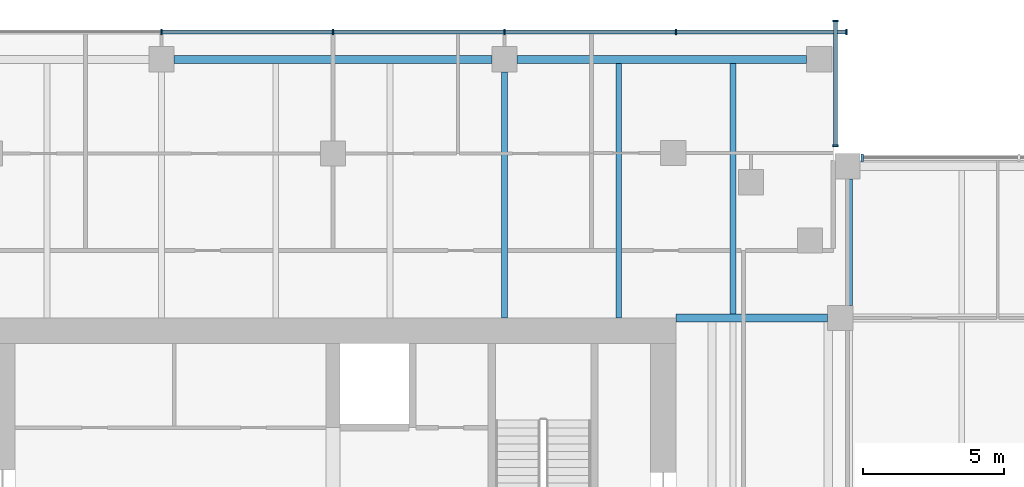
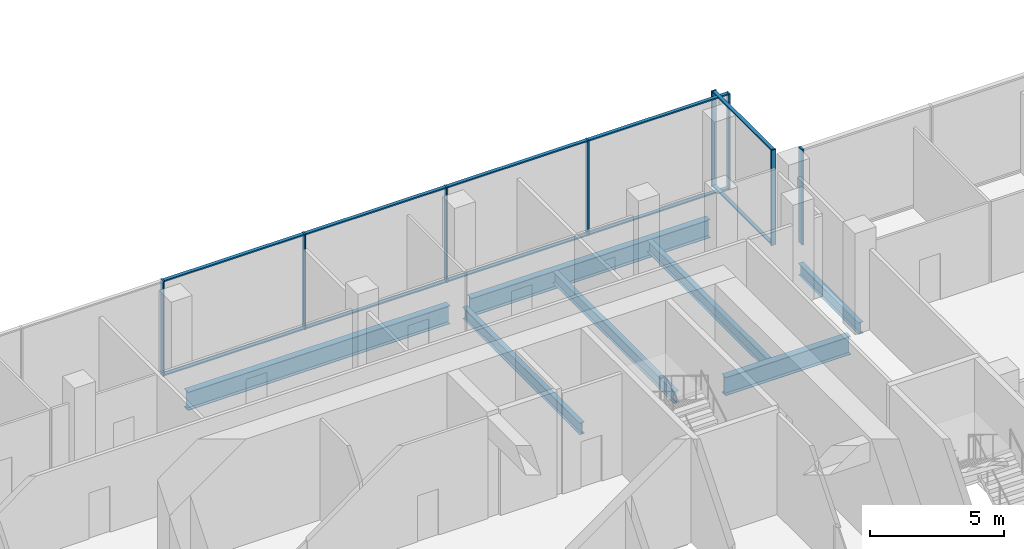
# One storey, part 6 of 33: 18 members, 7 beams, 3 elements without a shape of their own.
"""IFC4 building model written with IfcOpenShell, lengths in metres."""

import ifcopenshell
import ifcopenshell.guid

model = None  # the IFC model being written
_history = None  # IfcOwnerHistory: only IFC2X3 demands one
_inside = {}  # id of a spatial element -> (the spatial element, [elements in it])
_under = {}  # id of a project, library or spatial element -> (it, [spatial elements below it])
_declared = {}  # id of a project -> (the project, [libraries it declares])
_typed = {}  # id of a type object -> (the type object, [elements of that type])
_made_of = {}  # id of a material, layer set ... -> (it, [elements and type objects made of it])


def new_model(schema):
    """Start an empty IFC model of exactly this schema.

    Asked for "IFC4X3", IfcOpenShell would pick the latest addendum, in which some entities
    have other attributes; the version numbers below select the first issue.
    IFC2X3 requires an IfcOwnerHistory on every rooted entity: one is made here for all.
    """
    global model, _history
    if schema == "IFC4X3":
        model = ifcopenshell.file(schema_version=(4, 3, 0, 0))
    else:
        model = ifcopenshell.file(schema=schema)
    _inside.clear()
    _under.clear()
    _declared.clear()
    _typed.clear()
    _made_of.clear()
    _history = None
    if model.schema == "IFC2X3":
        org = make("IfcOrganization", Name="unknown")
        user = make(
            "IfcPersonAndOrganization",
            ThePerson=make("IfcPerson", FamilyName="unknown"),
            TheOrganization=org,
        )
        app = make(
            "IfcApplication",
            ApplicationDeveloper=org,
            Version="unknown",
            ApplicationFullName="unknown",
            ApplicationIdentifier="unknown",
        )
        _history = make(
            "IfcOwnerHistory",
            OwningUser=user,
            OwningApplication=app,
            ChangeAction="ADDED",
            CreationDate=0,
        )
    return model


def make(cls, **values):
    """One entity of the class cls with the attributes given. An attribute that is None is left unset."""
    return model.create_entity(
        cls, **{name: value for name, value in values.items() if value is not None}
    )


def rooted(cls, **values):
    """An entity with a GlobalId (a new one), such as an element, a storey or a relation."""
    return make(cls, GlobalId=ifcopenshell.guid.new(), OwnerHistory=_history, **values)


def si_unit(unit_type, name, prefix=None):
    """IfcSIUnit, for example si_unit("LENGTHUNIT", "METRE", prefix="MILLI")."""
    return make("IfcSIUnit", UnitType=unit_type, Prefix=prefix, Name=name)


def assignment(units):
    """IfcUnitAssignment: the units of a project."""
    return None if units is None else make("IfcUnitAssignment", Units=units)


def point(xyz):
    """IfcCartesianPoint."""
    return None if xyz is None else make("IfcCartesianPoint", Coordinates=xyz)


def direction(xyz):
    """IfcDirection."""
    return None if xyz is None else make("IfcDirection", DirectionRatios=xyz)


def frame(location, z_axis=None, x_axis=None):
    """IfcAxis2Placement3D, a coordinate frame: its origin and axes. An axis left out is left unset."""
    return make(
        "IfcAxis2Placement3D",
        Location=point(location),
        Axis=direction(z_axis),
        RefDirection=direction(x_axis),
    )


def frame_2d(location, x_axis=None):
    """IfcAxis2Placement2D, a coordinate frame in the plane: its origin and x axis."""
    return make(
        "IfcAxis2Placement2D", Location=point(location), RefDirection=direction(x_axis)
    )


def origin():
    """The frame at (0, 0, 0) with its axes left unset."""
    return frame((0.0, 0.0, 0.0))


def origin_2d():
    """The frame at (0, 0) in the plane with its x axis left unset."""
    return frame_2d((0.0, 0.0))


def place(relative_to, where):
    """IfcLocalPlacement: puts the frame where relative to a parent placement (None: the world)."""
    return make(
        "IfcLocalPlacement", PlacementRelTo=relative_to, RelativePlacement=where
    )


def context(
    kind, dimensions, precision=None, world=None, true_north=None, identifier=None
):
    """IfcGeometricRepresentationContext, for example the 3D "Model" context."""
    return make(
        "IfcGeometricRepresentationContext",
        ContextIdentifier=identifier,
        ContextType=kind,
        CoordinateSpaceDimension=dimensions,
        Precision=precision,
        WorldCoordinateSystem=world,
        TrueNorth=true_north,
    )


def subcontext(parent, identifier, kind, view, scale=None):
    """IfcGeometricRepresentationSubContext, for example "Body" below "Model"."""
    return make(
        "IfcGeometricRepresentationSubContext",
        ContextIdentifier=identifier,
        ContextType=kind,
        ParentContext=parent,
        TargetScale=scale,
        TargetView=view,
    )


def project(units=None, contexts=None):
    """IfcProject with its units and contexts."""
    return rooted(
        "IfcProject",
        Name="project",
        RepresentationContexts=contexts,
        UnitsInContext=assignment(units),
    )


def spatial(cls, under=None, at=None, **own):
    """A site, building, storey or space (cls), placed at a placement, below another one or the project."""
    s = rooted(cls, ObjectPlacement=at, **own)
    if under is not None:
        _under.setdefault(under.id(), (under, []))[1].append(s)
    return s


def profile(cls, at=None, kind="AREA", **sizes):
    """A parametric profile (cls). Its sizes go by their IFC names, for example OverallWidth=200.0."""
    return make(cls, ProfileType=kind, Position=at, **sizes)


def rectangle(**sizes):
    """IfcRectangleProfileDef."""
    return profile("IfcRectangleProfileDef", **sizes)


def i_section(**sizes):
    """IfcIShapeProfileDef."""
    return profile("IfcIShapeProfileDef", **sizes)


def extrude(swept, where, along, depth):
    """IfcExtrudedAreaSolid: the profile swept, set in the frame where, extruded along a direction by depth."""
    return make(
        "IfcExtrudedAreaSolid",
        SweptArea=swept,
        Position=where,
        ExtrudedDirection=direction(along),
        Depth=depth,
    )


def shape(context_of_items, identifier, shape_type, items):
    """IfcShapeRepresentation: the items that make up one representation, for example the "Body"."""
    return make(
        "IfcShapeRepresentation",
        ContextOfItems=context_of_items,
        RepresentationIdentifier=identifier,
        RepresentationType=shape_type,
        Items=items,
    )


def material(Name=None, Category=None):
    """IfcMaterial."""
    return make("IfcMaterial", Name=Name, Category=Category)


def material_profile(
    of_material, cross_section, Name=None, Category=None, Priority=None
):
    """IfcMaterialProfile: a cross section and its material."""
    return make(
        "IfcMaterialProfile",
        Name=Name,
        Material=of_material,
        Profile=cross_section,
        Priority=Priority,
        Category=Category,
    )


def profile_set(profiles, Name=None, composite=None):
    """IfcMaterialProfileSet."""
    return make(
        "IfcMaterialProfileSet",
        Name=Name,
        MaterialProfiles=profiles,
        CompositeProfile=composite,
    )


def made_of(thing, what):
    """Note that an element or type object is made of a material, layer set ...; save() writes the relation."""
    if what is not None:
        _made_of.setdefault(what.id(), (what, []))[1].append(thing)
    return thing


def type_object(cls, material=None, **own):
    """A type object (cls), such as IfcWallType, which elements share."""
    return made_of(rooted(cls, **own), material)


def element(
    cls,
    number,
    at=None,
    inside=None,
    cuts=None,
    type_object=None,
    material=None,
    context=None,
    identifier="Body",
    shape_type=None,
    held_by="IfcProductDefinitionShape",
    body=None,
    shapes=None,
    **own,
):
    """One element of the class cls, such as IfcWall. Its Tag is "e" and its number.

    at: its placement. inside: the storey or other place that contains it. cuts: it is an
    opening in that element (IfcRelVoidsElement). A single representation is given by context,
    identifier, shape_type and body (its items); several are given by shapes. held_by: the class
    of the entity that holds the representations. save() writes the other relations.
    """
    e = rooted(cls, Tag="e%d" % number, ObjectPlacement=at, **own)
    if body is not None:
        shapes = [shape(context, identifier, shape_type, body)]
    if shapes is not None:
        e.Representation = make(held_by, Representations=shapes)
    if inside is not None:
        _inside.setdefault(inside.id(), (inside, []))[1].append(e)
    if cuts is not None:
        rooted(
            "IfcRelVoidsElement", RelatingBuildingElement=cuts, RelatedOpeningElement=e
        )
    if type_object is not None:
        _typed.setdefault(type_object.id(), (type_object, []))[1].append(e)
    return made_of(e, material)


def aggregate(whole, parts):
    """IfcRelAggregates: a whole, such as a stair, and the parts it consists of."""
    return rooted("IfcRelAggregates", RelatingObject=whole, RelatedObjects=parts)


def save(model, path):
    """Write the relations noted so far, then the file.

    IfcRelAggregates (storeys below a building ...), IfcRelContainedInSpatialStructure (elements
    in a storey), IfcRelDefinesByType, IfcRelAssociatesMaterial and IfcRelDeclares: one each for
    every whole, place, type object, material and project.
    """
    for whole, parts in _under.values():
        aggregate(whole, parts)
    for where, things in _inside.values():
        rooted(
            "IfcRelContainedInSpatialStructure",
            RelatedElements=things,
            RelatingStructure=where,
        )
    for kind, things in _typed.values():
        rooted("IfcRelDefinesByType", RelatedObjects=things, RelatingType=kind)
    for what, things in _made_of.values():
        rooted("IfcRelAssociatesMaterial", RelatedObjects=things, RelatingMaterial=what)
    for by, libraries in _declared.values():
        rooted("IfcRelDeclares", RelatingContext=by, RelatedDefinitions=libraries)
    model.write(path)


model = new_model("IFC4")

# Units and contexts
model_context = context("Model", 3, precision=1e-05, world=origin(), true_north=direction((0.0, 1.0)))
body_context = subcontext(model_context, "Body", "Model", "MODEL_VIEW")
ifc_project = project(units=[si_unit("LENGTHUNIT", "METRE"), si_unit("AREAUNIT", "SQUARE_METRE"), si_unit("VOLUMEUNIT", "CUBIC_METRE"), si_unit("PLANEANGLEUNIT", "RADIAN"), si_unit("MASSUNIT", "GRAM", prefix="KILO")], contexts=[model_context])

# Site, building, storey
site_placement = place(None, origin())
site = spatial("IfcSite", under=ifc_project, at=site_placement, CompositionType="ELEMENT")
building_placement = place(site_placement, origin())
building = spatial("IfcBuilding", under=site, at=building_placement, Name="Tessera Gate Towers", CompositionType="ELEMENT")
storey_placement = place(building_placement, frame((0.0, 0.0, 12.0)))
storey = spatial("IfcBuildingStorey", under=building, at=storey_placement, Name="L02", CompositionType="ELEMENT", Elevation=12.0)

# Beams
ifc_material_1 = material(Name="Steel 350W", Category="steel")
ifc_material_profile_1 = material_profile(ifc_material_1, i_section(OverallWidth=0.2919921875, OverallDepth=0.8349609375, WebThickness=0.013916015625, FlangeThickness=0.018798828125, at=origin_2d()), Name="W840x176")
ifc_profile_set_1 = profile_set([ifc_material_profile_1], Name="Steel 350W")
beam_type_1 = type_object("IfcBeamType", Name="FLOOR GIRDER W840x176", PredefinedType="BEAM", material=ifc_profile_set_1)
beam_1_placement = place(storey_placement, frame((54.90087890625, 48.800048828125, -0.66748046875), z_axis=(1.0, 0.0, 0.0), x_axis=(0.0, 1.0, 0.0)))
element("IfcBeam", 1, at=beam_1_placement, inside=storey, type_object=beam_type_1, Name="PD-GD-L02-401", PredefinedType="BEAM", context=body_context, shape_type="SweptSolid", body=[
    extrude(i_section(OverallWidth=0.2919921875, OverallDepth=0.8349609375, WebThickness=0.013916015625, FlangeThickness=0.018798828125, at=origin_2d()), origin(), (0.0, 0.0, 1.0), 5.399169921875),
])
beam_2_placement = place(storey_placement, frame((37.050048828125, 58.0, -0.66748046875), z_axis=(1.0, 0.0, 0.0), x_axis=(0.0, 1.0, 0.0)))
element("IfcBeam", 2, at=beam_2_placement, inside=storey, type_object=beam_type_1, Name="PD-GD-L02-409", PredefinedType="BEAM", context=body_context, shape_type="SweptSolid", body=[
    extrude(i_section(OverallWidth=0.2919921875, OverallDepth=0.8349609375, WebThickness=0.013916015625, FlangeThickness=0.018798828125, at=origin_2d()), origin(), (0.0, 0.0, 1.0), 11.300048828125),
])
beam_3_placement = place(storey_placement, frame((49.25, 58.0, -0.66748046875), z_axis=(1.0, 0.0, 0.0), x_axis=(0.0, 1.0, 0.0)))
element("IfcBeam", 3, at=beam_3_placement, inside=storey, type_object=beam_type_1, Name="PD-GD-L02-410", PredefinedType="BEAM", context=body_context, shape_type="SweptSolid", body=[
    extrude(i_section(OverallWidth=0.2919921875, OverallDepth=0.8349609375, WebThickness=0.013916015625, FlangeThickness=0.018798828125, at=origin_2d()), origin(), (0.0, 0.0, 1.0), 10.300048828125),
])
ifc_material_2 = material(Name="Steel 350W", Category="steel")
ifc_material_profile_2 = material_profile(ifc_material_2, i_section(OverallWidth=0.208984375, OverallDepth=0.528076171875, WebThickness=0.009521484375, FlangeThickness=0.01318359375, at=origin_2d()), Name="W530x82")
ifc_profile_set_2 = profile_set([ifc_material_profile_2], Name="Steel 350W")
beam_type_2 = type_object("IfcBeamType", Name="FLOOR SECONDARY W530x82", PredefinedType="BEAM", material=ifc_profile_set_2)
beam_4_placement = place(storey_placement, frame((48.800048828125, 48.800048828125, -0.513916015625), z_axis=(0.0, 1.0, 0.0), x_axis=(-1.0, 0.0, 0.0)))
element("IfcBeam", 4, at=beam_4_placement, inside=storey, type_object=beam_type_2, Name="PD-BM-L02-484", PredefinedType="BEAM", context=body_context, shape_type="SweptSolid", body=[
    extrude(i_section(OverallWidth=0.208984375, OverallDepth=0.528076171875, WebThickness=0.009521484375, FlangeThickness=0.01318359375, at=origin_2d()), origin(), (0.0, 0.0, 1.0), 8.75),
])
beam_5_placement = place(storey_placement, frame((52.86669921875, 48.800048828125, -0.513916015625), z_axis=(0.0, 1.0, 0.0), x_axis=(-1.0, 0.0, 0.0)))
element("IfcBeam", 5, at=beam_5_placement, inside=storey, type_object=beam_type_2, Name="PD-BM-L02-487", PredefinedType="BEAM", context=body_context, shape_type="SweptSolid", body=[
    extrude(i_section(OverallWidth=0.208984375, OverallDepth=0.528076171875, WebThickness=0.009521484375, FlangeThickness=0.01318359375, at=origin_2d()), origin(), (0.0, 0.0, 1.0), 9.053955078125),
])
beam_6_placement = place(storey_placement, frame((56.933349609375, 48.946044921875, -0.513916015625), z_axis=(0.0, 1.0, 0.0), x_axis=(-1.0, 0.0, 0.0)))
element("IfcBeam", 6, at=beam_6_placement, inside=storey, type_object=beam_type_2, Name="PD-BM-L02-493", PredefinedType="BEAM", context=body_context, shape_type="SweptSolid", body=[
    extrude(i_section(OverallWidth=0.208984375, OverallDepth=0.528076171875, WebThickness=0.009521484375, FlangeThickness=0.01318359375, at=origin_2d()), origin(), (0.0, 0.0, 1.0), 8.907958984375),
])
beam_7_placement = place(storey_placement, frame((61.070556640625, 49.25, -0.513916015625), z_axis=(0.0, 1.0, 0.0), x_axis=(-1.0, 0.0, 0.0)))
element("IfcBeam", 7, at=beam_7_placement, inside=storey, type_object=beam_type_2, Name="PD-BM-L02-498", PredefinedType="BEAM", context=body_context, shape_type="SweptSolid", body=[
    extrude(i_section(OverallWidth=0.208984375, OverallDepth=0.528076171875, WebThickness=0.009521484375, FlangeThickness=0.01318359375, at=origin_2d()), origin(), (0.0, 0.0, 1.0), 4.5),
])

# Curtain wall, members
ifc_material_3 = material(Name="Aluminium frame", Category="aluminium")
curtain_wall_type_1 = type_object("IfcCurtainWallType", Name="CW-S1 podium storefront", PredefinedType="NOTDEFINED", material=ifc_material_3)
curtain_wall_1_placement = place(storey_placement, origin())
curtain_wall_1 = element("IfcCurtainWall", 8, at=curtain_wall_1_placement, inside=storey, type_object=curtain_wall_type_1, Name="Curtain wall podium storefront 0203", PredefinedType="NOTDEFINED")
ifc_material_4 = material(Name="Aluminium frame", Category="aluminium")
ifc_material_profile_3 = material_profile(ifc_material_4, rectangle(XDim=0.06005859375, YDim=0.199951171875, at=origin_2d()), Name="AL 60x200")
ifc_profile_set_3 = profile_set([ifc_material_profile_3], Name="Aluminium frame")
member_type_1 = type_object("IfcMemberType", Name="MU-S1 mullion 60x200", PredefinedType="MULLION", material=ifc_profile_set_3)
member_1_placement = place(storey_placement, frame((60.574951171875, 54.929931640625, 0.0), z_axis=(0.0, 0.0, 1.0), x_axis=(0.0, 1.0, 0.0)))
member_1 = element("IfcMember", 9, at=member_1_placement, type_object=member_type_1, Name="PD-CW1-0203 mullion 1", PredefinedType="MULLION", context=body_context, shape_type="SweptSolid", body=[
    extrude(rectangle(XDim=0.06005859375, YDim=0.199951171875, at=origin_2d()), origin(), (0.0, 0.0, 1.0), 4.35009765625),
])
member_2_placement = place(storey_placement, frame((60.574951171875, 59.3701171875, 0.0), z_axis=(0.0, 0.0, 1.0), x_axis=(0.0, 1.0, 0.0)))
member_2 = element("IfcMember", 10, at=member_2_placement, type_object=member_type_1, Name="PD-CW1-0203 mullion 2", PredefinedType="MULLION", context=body_context, shape_type="SweptSolid", body=[
    extrude(rectangle(XDim=0.06005859375, YDim=0.199951171875, at=origin_2d()), origin(), (0.0, 0.0, 1.0), 4.35009765625),
])

curtain_wall_2_placement = place(storey_placement, origin())
curtain_wall_2 = element("IfcCurtainWall", 11, at=curtain_wall_2_placement, inside=storey, type_object=curtain_wall_type_1, Name="Curtain wall podium storefront 0211", PredefinedType="NOTDEFINED")
member_3_placement = place(storey_placement, frame((60.969970703125, 58.97509765625, 0.0), z_axis=(0.0, 0.0, 1.0), x_axis=(-1.0, 0.0, 0.0)))
member_3 = element("IfcMember", 12, at=member_3_placement, type_object=member_type_1, Name="PD-CW1-0211 mullion 1", PredefinedType="MULLION", context=body_context, shape_type="SweptSolid", body=[
    extrude(rectangle(XDim=0.06005859375, YDim=0.199951171875, at=origin_2d()), origin(), (0.0, 0.0, 1.0), 4.35009765625),
])
member_4_placement = place(storey_placement, frame((54.89990234375, 58.97509765625, 0.0), z_axis=(0.0, 0.0, 1.0), x_axis=(-1.0, 0.0, 0.0)))
member_4 = element("IfcMember", 13, at=member_4_placement, type_object=member_type_1, Name="PD-CW1-0211 mullion 2", PredefinedType="MULLION", context=body_context, shape_type="SweptSolid", body=[
    extrude(rectangle(XDim=0.06005859375, YDim=0.199951171875, at=origin_2d()), origin(), (0.0, 0.0, 1.0), 4.35009765625),
])
member_5_placement = place(storey_placement, frame((48.800048828125, 58.97509765625, 0.0), z_axis=(0.0, 0.0, 1.0), x_axis=(-1.0, 0.0, 0.0)))
member_5 = element("IfcMember", 14, at=member_5_placement, type_object=member_type_1, Name="PD-CW1-0211 mullion 3", PredefinedType="MULLION", context=body_context, shape_type="SweptSolid", body=[
    extrude(rectangle(XDim=0.06005859375, YDim=0.199951171875, at=origin_2d()), origin(), (0.0, 0.0, 1.0), 4.35009765625),
])
member_6_placement = place(storey_placement, frame((42.699951171875, 58.97509765625, 0.0), z_axis=(0.0, 0.0, 1.0), x_axis=(-1.0, 0.0, 0.0)))
member_6 = element("IfcMember", 15, at=member_6_placement, type_object=member_type_1, Name="PD-CW1-0211 mullion 4", PredefinedType="MULLION", context=body_context, shape_type="SweptSolid", body=[
    extrude(rectangle(XDim=0.06005859375, YDim=0.199951171875, at=origin_2d()), origin(), (0.0, 0.0, 1.0), 4.35009765625),
])
member_7_placement = place(storey_placement, frame((36.60009765625, 58.97509765625, 0.0), z_axis=(0.0, 0.0, 1.0), x_axis=(-1.0, 0.0, 0.0)))
member_7 = element("IfcMember", 16, at=member_7_placement, type_object=member_type_1, Name="PD-CW1-0211 mullion 5", PredefinedType="MULLION", context=body_context, shape_type="SweptSolid", body=[
    extrude(rectangle(XDim=0.06005859375, YDim=0.199951171875, at=origin_2d()), origin(), (0.0, 0.0, 1.0), 4.35009765625),
])

# Curtain wall, member
ifc_material_5 = material(Name="Aluminium frame", Category="aluminium")
curtain_wall_type_2 = type_object("IfcCurtainWallType", Name="CW-S2 galleria glazing", PredefinedType="NOTDEFINED", material=ifc_material_5)
curtain_wall_3_placement = place(storey_placement, origin())
curtain_wall_3 = element("IfcCurtainWall", 17, at=curtain_wall_3_placement, inside=storey, type_object=curtain_wall_type_2, Name="Curtain wall galleria glazing 0200", PredefinedType="NOTDEFINED")
ifc_material_6 = material(Name="Aluminium frame", Category="aluminium")
ifc_material_profile_4 = material_profile(ifc_material_6, rectangle(XDim=0.080078125, YDim=0.25, at=origin_2d()), Name="AL 80x250")
ifc_profile_set_4 = profile_set([ifc_material_profile_4], Name="Aluminium frame")
member_type_2 = type_object("IfcMemberType", Name="MU-S2 mullion 80x250", PredefinedType="MULLION", material=ifc_profile_set_4)
member_8_placement = place(storey_placement, frame((61.530029296875, 54.5, 0.0), z_axis=(0.0, 0.0, 1.0), x_axis=(-1.0, 0.0, 0.0)))
member_8 = element("IfcMember", 18, at=member_8_placement, type_object=member_type_2, Name="PD-CW2-0200 mullion 3", PredefinedType="MULLION", context=body_context, shape_type="SweptSolid", body=[
    extrude(rectangle(XDim=0.080078125, YDim=0.25, at=origin_2d()), origin(), (0.0, 0.0, 1.0), 4.35009765625),
])
aggregate(curtain_wall_3, [member_8])

# Member
ifc_material_7 = material(Name="Aluminium frame", Category="aluminium")
ifc_material_profile_5 = material_profile(ifc_material_7, rectangle(XDim=0.14990234375, YDim=0.06005859375, at=origin_2d()), Name="AL 60x150")
ifc_profile_set_5 = profile_set([ifc_material_profile_5], Name="Aluminium frame")
member_type_3 = type_object("IfcMemberType", Name="TR-S1 transom 60x150", PredefinedType="USERDEFINED", material=ifc_profile_set_5)
member_9_placement = place(storey_placement, frame((60.574951171875, 54.9599609375, 0.030029296875), z_axis=(0.0, 1.0, 0.0), x_axis=(-1.0, 0.0, 0.0)))
member_9 = element("IfcMember", 19, at=member_9_placement, type_object=member_type_3, Name="PD-CW1-0203 transom 1.1", ObjectType="TRANSOM", PredefinedType="USERDEFINED", context=body_context, shape_type="SweptSolid", body=[
    extrude(rectangle(XDim=0.14990234375, YDim=0.06005859375, at=origin_2d()), origin(), (0.0, 0.0, 1.0), 4.380126953125),
])

member_10_placement = place(storey_placement, frame((60.574951171875, 54.9599609375, 4.320068359375), z_axis=(0.0, 1.0, 0.0), x_axis=(-1.0, 0.0, 0.0)))
member_10 = element("IfcMember", 20, at=member_10_placement, type_object=member_type_3, Name="PD-CW1-0203 transom 1.2", ObjectType="TRANSOM", PredefinedType="USERDEFINED", context=body_context, shape_type="SweptSolid", body=[
    extrude(rectangle(XDim=0.14990234375, YDim=0.06005859375, at=origin_2d()), origin(), (0.0, 0.0, 1.0), 4.380126953125),
])

aggregate(curtain_wall_1, [member_1, member_2, member_9, member_10])

member_11_placement = place(storey_placement, frame((60.93994140625, 58.97509765625, 0.030029296875), z_axis=(-1.0, 0.0, 0.0), x_axis=(0.0, -1.0, 0.0)))
member_11 = element("IfcMember", 21, at=member_11_placement, type_object=member_type_3, Name="PD-CW1-0211 transom 1.1", ObjectType="TRANSOM", PredefinedType="USERDEFINED", context=body_context, shape_type="SweptSolid", body=[
    extrude(rectangle(XDim=0.14990234375, YDim=0.06005859375, at=origin_2d()), origin(), (0.0, 0.0, 1.0), 6.010009765625),
])

member_12_placement = place(storey_placement, frame((60.93994140625, 58.97509765625, 4.320068359375), z_axis=(-1.0, 0.0, 0.0), x_axis=(0.0, -1.0, 0.0)))
member_12 = element("IfcMember", 22, at=member_12_placement, type_object=member_type_3, Name="PD-CW1-0211 transom 1.2", ObjectType="TRANSOM", PredefinedType="USERDEFINED", context=body_context, shape_type="SweptSolid", body=[
    extrude(rectangle(XDim=0.14990234375, YDim=0.06005859375, at=origin_2d()), origin(), (0.0, 0.0, 1.0), 6.010009765625),
])

member_13_placement = place(storey_placement, frame((54.8701171875, 58.97509765625, 0.030029296875), z_axis=(-1.0, 0.0, 0.0), x_axis=(0.0, -1.0, 0.0)))
member_13 = element("IfcMember", 23, at=member_13_placement, type_object=member_type_3, Name="PD-CW1-0211 transom 2.1", ObjectType="TRANSOM", PredefinedType="USERDEFINED", context=body_context, shape_type="SweptSolid", body=[
    extrude(rectangle(XDim=0.14990234375, YDim=0.06005859375, at=origin_2d()), origin(), (0.0, 0.0, 1.0), 6.0400390625),
])

member_14_placement = place(storey_placement, frame((54.8701171875, 58.97509765625, 4.320068359375), z_axis=(-1.0, 0.0, 0.0), x_axis=(0.0, -1.0, 0.0)))
member_14 = element("IfcMember", 24, at=member_14_placement, type_object=member_type_3, Name="PD-CW1-0211 transom 2.2", ObjectType="TRANSOM", PredefinedType="USERDEFINED", context=body_context, shape_type="SweptSolid", body=[
    extrude(rectangle(XDim=0.14990234375, YDim=0.06005859375, at=origin_2d()), origin(), (0.0, 0.0, 1.0), 6.0400390625),
])

member_15_placement = place(storey_placement, frame((48.77001953125, 58.97509765625, 0.030029296875), z_axis=(-1.0, 0.0, 0.0), x_axis=(0.0, -1.0, 0.0)))
member_15 = element("IfcMember", 25, at=member_15_placement, type_object=member_type_3, Name="PD-CW1-0211 transom 3.1", ObjectType="TRANSOM", PredefinedType="USERDEFINED", context=body_context, shape_type="SweptSolid", body=[
    extrude(rectangle(XDim=0.14990234375, YDim=0.06005859375, at=origin_2d()), origin(), (0.0, 0.0, 1.0), 6.0400390625),
])

member_16_placement = place(storey_placement, frame((48.77001953125, 58.97509765625, 4.320068359375), z_axis=(-1.0, 0.0, 0.0), x_axis=(0.0, -1.0, 0.0)))
member_16 = element("IfcMember", 26, at=member_16_placement, type_object=member_type_3, Name="PD-CW1-0211 transom 3.2", ObjectType="TRANSOM", PredefinedType="USERDEFINED", context=body_context, shape_type="SweptSolid", body=[
    extrude(rectangle(XDim=0.14990234375, YDim=0.06005859375, at=origin_2d()), origin(), (0.0, 0.0, 1.0), 6.0400390625),
])

member_17_placement = place(storey_placement, frame((42.669921875, 58.97509765625, 0.030029296875), z_axis=(-1.0, 0.0, 0.0), x_axis=(0.0, -1.0, 0.0)))
member_17 = element("IfcMember", 27, at=member_17_placement, type_object=member_type_3, Name="PD-CW1-0211 transom 4.1", ObjectType="TRANSOM", PredefinedType="USERDEFINED", context=body_context, shape_type="SweptSolid", body=[
    extrude(rectangle(XDim=0.14990234375, YDim=0.06005859375, at=origin_2d()), origin(), (0.0, 0.0, 1.0), 6.0400390625),
])

member_18_placement = place(storey_placement, frame((42.669921875, 58.97509765625, 4.320068359375), z_axis=(-1.0, 0.0, 0.0), x_axis=(0.0, -1.0, 0.0)))
member_18 = element("IfcMember", 28, at=member_18_placement, type_object=member_type_3, Name="PD-CW1-0211 transom 4.2", ObjectType="TRANSOM", PredefinedType="USERDEFINED", context=body_context, shape_type="SweptSolid", body=[
    extrude(rectangle(XDim=0.14990234375, YDim=0.06005859375, at=origin_2d()), origin(), (0.0, 0.0, 1.0), 6.0400390625),
])

aggregate(curtain_wall_2, [member_3, member_4, member_5, member_6, member_7, member_11, member_12, member_13, member_14, member_15, member_16, member_17, member_18])

save(model, "model.ifc")
